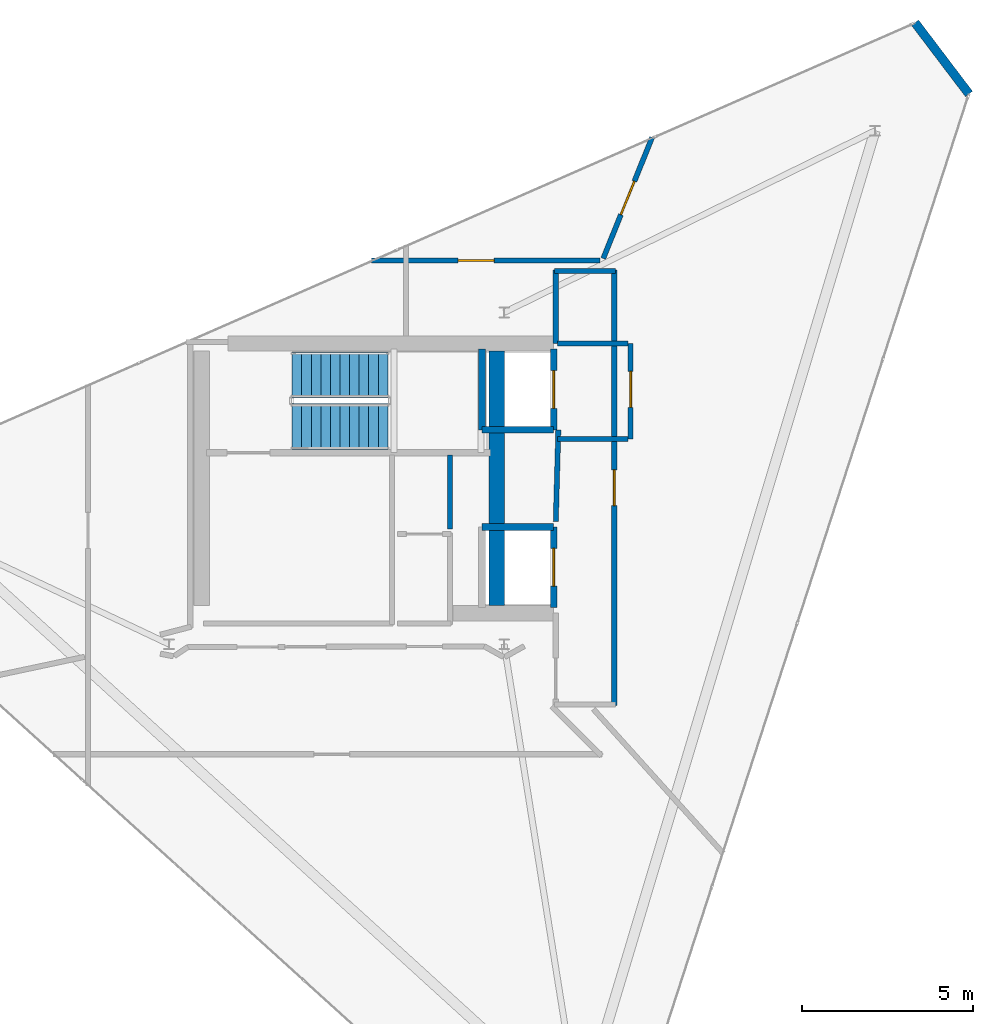
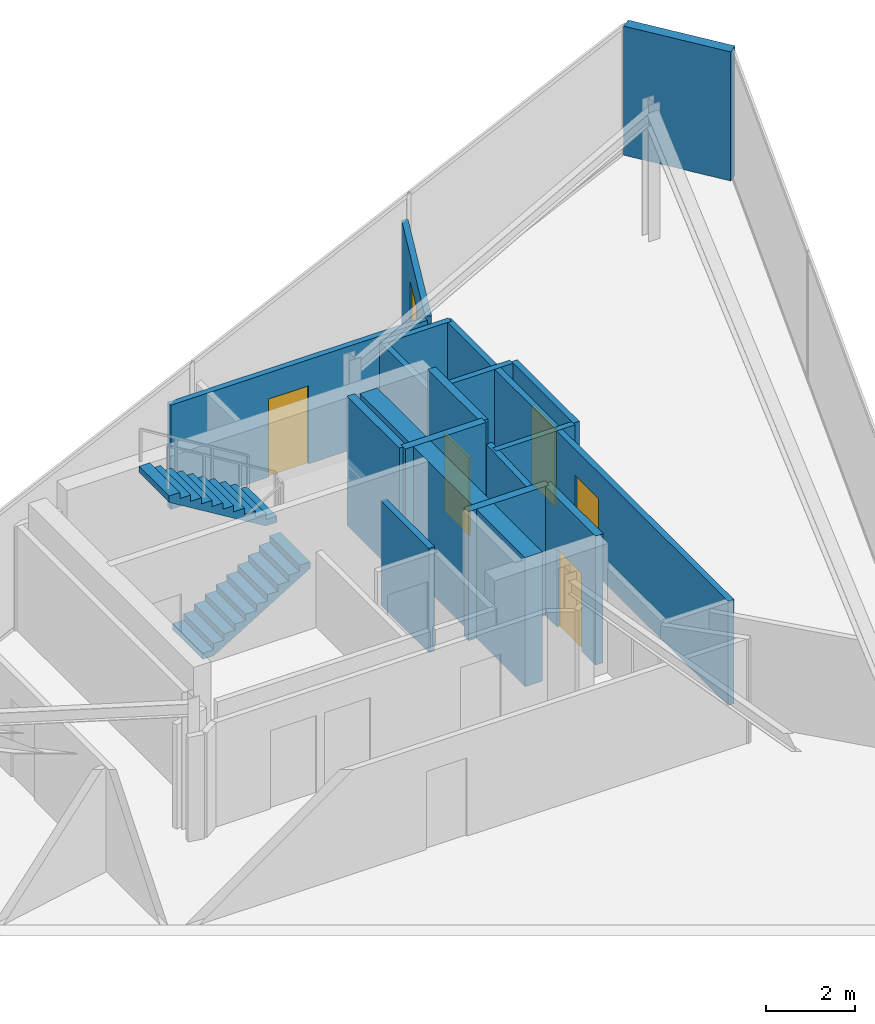
# One storey, part 15 of 16: 17 walls, 6 doors, 2 stair flights, 6 openings, 1 element without a shape of its own.
"""IFC4 building model written with IfcOpenShell, lengths in metres."""

from ifc_helpers import new_model, si_unit, direction, frame, frame_2d, origin, place, context, subcontext, project, spatial, polyline, rectangle, outline, extrude, material, layer, layer_set, type_object, element, fill, aggregate, save


model = new_model("IFC4")

# Units and contexts
model_context = context("Model", 3, precision=1e-05, world=origin(), true_north=direction((0.0, 1.0)))
body_context = subcontext(model_context, "Body", "Model", "MODEL_VIEW")
ifc_project = project(units=[si_unit("LENGTHUNIT", "METRE"), si_unit("AREAUNIT", "SQUARE_METRE"), si_unit("VOLUMEUNIT", "CUBIC_METRE"), si_unit("PLANEANGLEUNIT", "RADIAN"), si_unit("MASSUNIT", "GRAM", prefix="KILO")], contexts=[model_context])

# Site, building, storey
site_placement = place(None, origin())
site = spatial("IfcSite", under=ifc_project, at=site_placement, CompositionType="ELEMENT")
building_placement = place(site_placement, origin())
building = spatial("IfcBuilding", under=site, at=building_placement, Name="Qianvela Tower", CompositionType="ELEMENT")
storey_placement = place(building_placement, frame((0.0, 0.0, 367.550048828125)))
storey = spatial("IfcBuildingStorey", under=building, at=storey_placement, Name="L95", CompositionType="ELEMENT", Elevation=367.550048828125)

# Walls
ifc_material_1 = material(Name="Terracotta Cladding on Concrete C40", Category="masonry")
ifc_layer_1 = layer(ifc_material_1, 0.260009765625)
ifc_layer_set_1 = layer_set([ifc_layer_1], Name="Terracotta Cladding on Concrete C40")
wall_type_1 = type_object("IfcWallType", Name="TERRACOTTA-WALL-260", PredefinedType="SOLIDWALL", material=ifc_layer_set_1)
wall_1_placement = place(storey_placement, frame((51.995849609375, 39.9443359375, 0.0), z_axis=(0.0, 0.0, 1.0), x_axis=(-0.604042927758, 0.796951781117, 0.0)))
element("IfcWall", 1, at=wall_1_placement, inside=storey, type_object=wall_type_1, Name="L95 Crown Terracotta Cladding Wall 1", PredefinedType="SOLIDWALL", context=body_context, shape_type="SweptSolid", body=[
    extrude(rectangle(XDim=2.613525390625, YDim=0.260009765625, at=frame_2d((1.306640625, 0.0))), origin(), (0.0, 0.0, 1.0), 3.550048828125),
])
ifc_material_2 = material(Name="Concrete C50", Category="concrete")
ifc_layer_2 = layer(ifc_material_2, 0.449951171875)
ifc_layer_set_2 = layer_set([ifc_layer_2], Name="Concrete C50")
wall_type_2 = type_object("IfcWallType", Name="WT-CORE-450", PredefinedType="SHEAR", material=ifc_layer_set_2)
wall_2_placement = place(storey_placement, frame((38.179931640625, 24.97998046875, 0.0), z_axis=(0.0, 0.0, 1.0), x_axis=(0.0, 1.0, 0.0)))
element("IfcWall", 2, at=wall_2_placement, inside=storey, type_object=wall_type_2, Name="L95 East Spine Core Shear Wall", PredefinedType="SHEAR", context=body_context, shape_type="SweptSolid", body=[
    extrude(rectangle(XDim=7.43994140625, YDim=0.449951171875, at=frame_2d((3.719970703125, 0.0))), origin(), (0.0, 0.0, 1.0), 3.550048828125),
])

# Wall, opening, door
ifc_material_3 = material(Name="Fire-Rated Acoustic Gypsum Board")
ifc_layer_3 = layer(ifc_material_3, 0.14990234375)
ifc_layer_set_3 = layer_set([ifc_layer_3], Name="Fire-Rated Acoustic Gypsum Board")
wall_type_3 = type_object("IfcWallType", Name="WT-CORR-150", PredefinedType="PARTITIONING", material=ifc_layer_set_3)
wall_3_placement = place(storey_placement, frame((42.10009765625, 29.85009765625, 0.0), z_axis=(0.0, 0.0, 1.0), x_axis=(0.0, 1.0, 0.0)))
wall_3 = element("IfcWall", 3, at=wall_3_placement, inside=storey, type_object=wall_type_3, Name="L95 Crown Mechanical Plant Partition 1", PredefinedType="PARTITIONING", context=body_context, shape_type="SweptSolid", body=[
    extrude(rectangle(XDim=2.794921875, YDim=0.14990234375, at=frame_2d((1.3974609375, 0.0))), origin(), (0.0, 0.0, 1.0), 2.869873046875),
])
opening_1_placement = place(wall_3_placement, frame((0.925048828125, 0.0, 0.0)))
opening_1 = element("IfcOpeningElement", 4, at=opening_1_placement, cuts=wall_3, Name="Opening D-PL1", PredefinedType="OPENING", context=body_context, shape_type="SweptSolid", body=[
    extrude(rectangle(XDim=1.050048828125, YDim=2.14990234375, at=frame_2d((0.52490234375, 1.074951171875))), frame((0.0, 0.0849609375, 0.0), z_axis=(0.0, -1.0, 0.0), x_axis=(1.0, 0.0, 0.0)), (0.0, 0.0, 1.0), 0.169921875),
])
ifc_material_4 = material(Name="Insulated Steel Fire Door Q355B", Category="steel")
door_type_1 = type_object("IfcDoorType", Name="DT-PLANT-FD90", OperationType="NOTDEFINED", PredefinedType="DOOR", material=ifc_material_4)
door_1_placement = place(opening_1_placement, origin())
door_1 = element("IfcDoor", 5, at=door_1_placement, inside=storey, type_object=door_type_1, Name="L95 Crown Mechanical Plant Room Door", OperationType="SINGLE_SWING_RIGHT", OverallHeight=2.14990234375, OverallWidth=1.050048828125, PredefinedType="DOOR", context=body_context, shape_type="SweptSolid", body=[
    extrude(rectangle(XDim=1.050048828125, YDim=2.14990234375, at=frame_2d((0.52490234375, 1.074951171875))), frame((0.0, 0.02490234375, 0.0), z_axis=(0.0, -1.0, 0.0), x_axis=(1.0, 0.0, 0.0)), (0.0, 0.0, 1.0), 0.050048828125),
])
fill(opening_1, door_1)

# Walls
for number, where, z_axis, x_axis, name in (
    (6, (39.9599609375, 29.85009765625, 0.0), (0.0, 0.0, 1.0), (1.0, 0.0, 0.0), "L95 Crown Mechanical Plant Partition 2"),
    (7, (39.9599609375, 32.64501953125, 0.0), (0.0, 0.0, 1.0), (1.0, 0.0, 0.0), "L95 Crown Mechanical Plant Partition 3"),
):
    element("IfcWall", number, at=place(storey_placement, frame(where, z_axis=z_axis, x_axis=x_axis)), inside=storey, type_object=wall_type_3, Name=name, PredefinedType="PARTITIONING", context=body_context, shape_type="SweptSolid", body=[
        extrude(rectangle(XDim=2.06005859375, YDim=0.14990234375, at=frame_2d((1.030029296875, 0.0))), origin(), (0.0, 0.0, 1.0), 2.869873046875),
    ])
wall_4_placement = place(storey_placement, frame((39.910888671875, 27.439208984375, 0.0), z_axis=(0.0, 0.0, 1.0), x_axis=(0.027673579092, 0.999617013171, 0.0)))
element("IfcWall", 8, at=wall_4_placement, inside=storey, type_object=wall_type_3, Name="L95 Partition 7 seg 1", PredefinedType="PARTITIONING", context=body_context, shape_type="SweptSolid", body=[
    extrude(rectangle(XDim=2.681884765625, YDim=0.14990234375, at=frame_2d((1.3408203125, 0.0))), origin(), (0.0, 0.0, 1.0), 2.869873046875),
])
wall_5_placement = place(storey_placement, frame((39.910888671875, 32.639892578125, 0.0), z_axis=(0.0, 0.0, 1.0), x_axis=(0.0, 1.0, 0.0)))
element("IfcWall", 9, at=wall_5_placement, inside=storey, type_object=wall_type_3, Name="L95 Partition 8", PredefinedType="PARTITIONING", context=body_context, shape_type="SweptSolid", body=[
    extrude(rectangle(XDim=2.16015625, YDim=0.14990234375, at=frame_2d((1.080078125, 0.0))), origin(), (0.0, 0.0, 1.0), 2.869873046875),
])
wall_6_placement = place(storey_placement, frame((39.8798828125, 34.76904296875, 0.0), z_axis=(0.0, 0.0, 1.0), x_axis=(1.0, 0.0, 0.0)))
element("IfcWall", 10, at=wall_6_placement, inside=storey, type_object=wall_type_3, Name="L95 Partition 9", PredefinedType="PARTITIONING", context=body_context, shape_type="SweptSolid", body=[
    extrude(rectangle(XDim=1.77001953125, YDim=0.14990234375, at=frame_2d((0.885009765625, 0.0))), origin(), (0.0, 0.0, 1.0), 2.869873046875),
])

# Wall, opening, door
wall_7_placement = place(storey_placement, frame((41.618896484375, 34.800048828125, 0.0), z_axis=(0.0, 0.0, 1.0), x_axis=(0.0, -1.0, 0.0)))
wall_7 = element("IfcWall", 11, at=wall_7_placement, inside=storey, type_object=wall_type_3, Name="L95 Partition 10", PredefinedType="PARTITIONING", context=body_context, shape_type="SweptSolid", body=[
    extrude(rectangle(XDim=12.75, YDim=0.14990234375, at=frame_2d((6.375, 0.0))), origin(), (0.0, 0.0, 1.0), 2.869873046875),
])
opening_2_placement = place(wall_7_placement, frame((5.85009765625, 0.0, 0.0)))
opening_2 = element("IfcOpeningElement", 12, at=opening_2_placement, cuts=wall_7, Name="Opening D-PL1", PredefinedType="OPENING", context=body_context, shape_type="SweptSolid", body=[
    extrude(rectangle(XDim=1.050048828125, YDim=2.14990234375, at=frame_2d((0.52490234375, 1.074951171875))), frame((0.0, 0.0849609375, 0.0), z_axis=(0.0, -1.0, 0.0), x_axis=(1.0, 0.0, 0.0)), (0.0, 0.0, 1.0), 0.169921875),
])
door_2_placement = place(opening_2_placement, origin())
door_2 = element("IfcDoor", 13, at=door_2_placement, inside=storey, type_object=door_type_1, Name="L95 Door L95 Solar Inverter Switchgear Plant Room to L95 Lift Lobby", OperationType="SINGLE_SWING_LEFT", OverallHeight=2.14990234375, OverallWidth=1.050048828125, PredefinedType="DOOR", context=body_context, shape_type="SweptSolid", body=[
    extrude(rectangle(XDim=1.050048828125, YDim=2.14990234375, at=frame_2d((0.52490234375, 1.074951171875))), frame((0.0, 0.02490234375, 0.0), z_axis=(0.0, -1.0, 0.0), x_axis=(1.0, 0.0, 0.0)), (0.0, 0.0, 1.0), 0.050048828125),
])
fill(opening_2, door_2)

# Wall
wall_8_placement = place(storey_placement, frame((36.819091796875, 29.3798828125, 0.0), z_axis=(0.0, 0.0, 1.0), x_axis=(0.0, -1.0, 0.0)))
element("IfcWall", 14, at=wall_8_placement, inside=storey, type_object=wall_type_3, Name="L95 Partition 19", PredefinedType="PARTITIONING", context=body_context, shape_type="SweptSolid", body=[
    extrude(rectangle(XDim=2.159912109375, YDim=0.14990234375, at=frame_2d((1.080078125, 0.0))), origin(), (0.0, 0.0, 1.0), 2.869873046875),
])

# Wall, opening, door
wall_9_placement = place(storey_placement, frame((34.519775390625, 35.069091796875, 0.0), z_axis=(0.0, 0.0, 1.0), x_axis=(1.0, 0.0, 0.0)))
wall_9 = element("IfcWall", 15, at=wall_9_placement, inside=storey, type_object=wall_type_3, Name="L95 Partition 24", PredefinedType="PARTITIONING", context=body_context, shape_type="SweptSolid", body=[
    extrude(rectangle(XDim=6.68017578125, YDim=0.14990234375, at=frame_2d((3.340087890625, 0.0))), origin(), (0.0, 0.0, 1.0), 2.869873046875),
])
opening_3_placement = place(wall_9_placement, frame((2.53515625, 0.0, 0.0)))
opening_3 = element("IfcOpeningElement", 16, at=opening_3_placement, cuts=wall_9, Name="Opening D-PL1", PredefinedType="OPENING", context=body_context, shape_type="SweptSolid", body=[
    extrude(rectangle(XDim=1.050048828125, YDim=2.14990234375, at=frame_2d((0.52490234375, 1.074951171875))), frame((0.0, 0.0849609375, 0.0), z_axis=(0.0, -1.0, 0.0), x_axis=(1.0, 0.0, 0.0)), (0.0, 0.0, 1.0), 0.169921875),
])
door_3_placement = place(opening_3_placement, origin())
door_3 = element("IfcDoor", 17, at=door_3_placement, inside=storey, type_object=door_type_1, Name="L95 Door L95 Crown Pressure Booster Plant to L95 Atrium Smoke Exhaust Plant Room", OperationType="SINGLE_SWING_RIGHT", OverallHeight=2.14990234375, OverallWidth=1.050048828125, PredefinedType="DOOR", context=body_context, shape_type="SweptSolid", body=[
    extrude(rectangle(XDim=1.050048828125, YDim=2.14990234375, at=frame_2d((0.52490234375, 1.074951171875))), frame((0.0, 0.02490234375, 0.0), z_axis=(0.0, -1.0, 0.0), x_axis=(1.0, 0.0, 0.0)), (0.0, 0.0, 1.0), 0.050048828125),
])
fill(opening_3, door_3)

wall_10_placement = place(storey_placement, frame((41.29736328125, 35.12939453125, 0.0), z_axis=(0.0, 0.0, 1.0), x_axis=(0.374615121192, 0.927180409076, 0.0)))
wall_10 = element("IfcWall", 18, at=wall_10_placement, inside=storey, type_object=wall_type_3, Name="L95 Partition 48", PredefinedType="PARTITIONING", context=body_context, shape_type="SweptSolid", body=[
    extrude(rectangle(XDim=3.822265625, YDim=0.14990234375, at=frame_2d((1.9111328125, 0.0))), origin(), (0.0, 0.0, 1.0), 2.869873046875),
])
opening_4_placement = place(wall_10_placement, frame((1.38623046875, 0.0, 0.0)))
opening_4 = element("IfcOpeningElement", 19, at=opening_4_placement, cuts=wall_10, Name="Opening D-PL1", PredefinedType="OPENING", context=body_context, shape_type="SweptSolid", body=[
    extrude(rectangle(XDim=1.050048828125, YDim=2.14990234375, at=frame_2d((0.52490234375, 1.074951171875))), frame((0.0, 0.0849609375, 0.0), z_axis=(0.0, -1.0, 0.0), x_axis=(1.0, 0.0, 0.0)), (0.0, 0.0, 1.0), 0.169921875),
])
door_4_placement = place(opening_4_placement, origin())
door_4 = element("IfcDoor", 20, at=door_4_placement, inside=storey, type_object=door_type_1, Name="L95 Door L95 Atrium Smoke Exhaust Plant Room to L95 Solar Inverter Switchgear Plant Room", OperationType="SINGLE_SWING_RIGHT", OverallHeight=2.14990234375, OverallWidth=1.050048828125, PredefinedType="DOOR", context=body_context, shape_type="SweptSolid", body=[
    extrude(rectangle(XDim=1.050048828125, YDim=2.14990234375, at=frame_2d((0.52490234375, 1.074951171875))), frame((0.0, 0.02490234375, 0.0), z_axis=(0.0, -1.0, 0.0), x_axis=(1.0, 0.0, 0.0)), (0.0, 0.0, 1.0), 0.050048828125),
])
fill(opening_4, door_4)

ifc_material_5 = material(Name="Concrete C50", Category="concrete")
ifc_layer_4 = layer(ifc_material_5, 0.199951171875)
ifc_layer_set_4 = layer_set([ifc_layer_4], Name="Concrete C50")
wall_type_4 = type_object("IfcWallType", Name="WT-SHAFT-200", PredefinedType="SOLIDWALL", material=ifc_layer_set_4)
wall_11_placement = place(storey_placement, frame((39.85009765625, 30.1201171875, 0.0), z_axis=(0.0, 0.0, 1.0), x_axis=(0.0, 1.0, 0.0)))
wall_11 = element("IfcWall", 21, at=wall_11_placement, inside=storey, type_object=wall_type_4, Name="L95 Lift FL-1 E Shaft Wall", PredefinedType="SOLIDWALL", context=body_context, shape_type="SweptSolid", body=[
    extrude(rectangle(XDim=2.35986328125, YDim=0.199951171875, at=frame_2d((1.179931640625, 0.0))), origin(), (0.0, 0.0, 1.0), 3.550048828125),
])
opening_5_placement = place(wall_11_placement, frame((0.6298828125, 0.0, 0.0)))
opening_5 = element("IfcOpeningElement", 22, at=opening_5_placement, cuts=wall_11, Name="Opening LD-01", PredefinedType="OPENING", context=body_context, shape_type="SweptSolid", body=[
    extrude(rectangle(XDim=1.10009765625, YDim=2.14990234375, at=frame_2d((0.550048828125, 1.074951171875))), frame((0.0, 0.10986328125, 0.0), z_axis=(0.0, -1.0, 0.0), x_axis=(1.0, 0.0, 0.0)), (0.0, 0.0, 1.0), 0.219970703125),
])
ifc_material_6 = material(Name="Brushed Stainless Steel Lift Landing Door", Category="steel")
door_type_2 = type_object("IfcDoorType", Name="DT-LIFT-SLIDE-1100", OperationType="SLIDING_TO_LEFT", PredefinedType="DOOR", material=ifc_material_6)
door_5_placement = place(opening_5_placement, origin())
door_5 = element("IfcDoor", 23, at=door_5_placement, inside=storey, type_object=door_type_2, Name="L95 Lift FL-1 Sliding Landing Door", OperationType="SLIDING_TO_LEFT", OverallHeight=2.14990234375, OverallWidth=1.10009765625, PredefinedType="DOOR", context=body_context, shape_type="SweptSolid", body=[
    extrude(rectangle(XDim=1.10009765625, YDim=2.14990234375, at=frame_2d((0.550048828125, 1.074951171875))), frame((0.0, 0.02490234375, 0.0), z_axis=(0.0, -1.0, 0.0), x_axis=(1.0, 0.0, 0.0)), (0.0, 0.0, 1.0), 0.050048828125),
])
fill(opening_5, door_5)

# Walls
wall_12_placement = place(storey_placement, frame((37.75, 30.1201171875, 0.0), z_axis=(0.0, 0.0, 1.0), x_axis=(0.0, 1.0, 0.0)))
element("IfcWall", 24, at=wall_12_placement, inside=storey, type_object=wall_type_4, Name="L95 Lift FL-1 W Shaft Wall", PredefinedType="SOLIDWALL", context=body_context, shape_type="SweptSolid", body=[
    extrude(rectangle(XDim=2.35986328125, YDim=0.199951171875, at=frame_2d((1.179931640625, 0.0))), origin(), (0.0, 0.0, 1.0), 3.550048828125),
])
wall_13_placement = place(storey_placement, frame((37.75, 30.1201171875, 0.0), z_axis=(0.0, 0.0, 1.0), x_axis=(1.0, 0.0, 0.0)))
element("IfcWall", 25, at=wall_13_placement, inside=storey, type_object=wall_type_4, Name="L95 Lift FL-1 S Shaft Wall", PredefinedType="SOLIDWALL", context=body_context, shape_type="SweptSolid", body=[
    extrude(rectangle(XDim=2.10009765625, YDim=0.199951171875, at=frame_2d((1.050048828125, 0.0))), origin(), (0.0, 0.0, 1.0), 3.550048828125),
])

# Wall, opening, door
wall_14_placement = place(storey_placement, frame((39.85009765625, 24.919921875, 0.0), z_axis=(0.0, 0.0, 1.0), x_axis=(0.0, 1.0, 0.0)))
wall_14 = element("IfcWall", 26, at=wall_14_placement, inside=storey, type_object=wall_type_4, Name="L95 Lift FL-2 E Shaft Wall", PredefinedType="SOLIDWALL", context=body_context, shape_type="SweptSolid", body=[
    extrude(rectangle(XDim=2.360107421875, YDim=0.199951171875, at=frame_2d((1.18017578125, 0.0))), origin(), (0.0, 0.0, 1.0), 3.550048828125),
])
opening_6_placement = place(wall_14_placement, frame((0.6298828125, 0.0, 0.0)))
opening_6 = element("IfcOpeningElement", 27, at=opening_6_placement, cuts=wall_14, Name="Opening LD-01", PredefinedType="OPENING", context=body_context, shape_type="SweptSolid", body=[
    extrude(rectangle(XDim=1.10009765625, YDim=2.14990234375, at=frame_2d((0.550048828125, 1.074951171875))), frame((0.0, 0.10986328125, 0.0), z_axis=(0.0, -1.0, 0.0), x_axis=(1.0, 0.0, 0.0)), (0.0, 0.0, 1.0), 0.219970703125),
])
door_6_placement = place(opening_6_placement, origin())
door_6 = element("IfcDoor", 28, at=door_6_placement, inside=storey, type_object=door_type_2, Name="L95 Lift FL-2 Sliding Landing Door", OperationType="SLIDING_TO_LEFT", OverallHeight=2.14990234375, OverallWidth=1.10009765625, PredefinedType="DOOR", context=body_context, shape_type="SweptSolid", body=[
    extrude(rectangle(XDim=1.10009765625, YDim=2.14990234375, at=frame_2d((0.550048828125, 1.074951171875))), frame((0.0, 0.02490234375, 0.0), z_axis=(0.0, -1.0, 0.0), x_axis=(1.0, 0.0, 0.0)), (0.0, 0.0, 1.0), 0.050048828125),
])
fill(opening_6, door_6)

# Wall
wall_15_placement = place(storey_placement, frame((37.75, 27.280029296875, 0.0), z_axis=(0.0, 0.0, 1.0), x_axis=(1.0, 0.0, 0.0)))
element("IfcWall", 29, at=wall_15_placement, inside=storey, type_object=wall_type_4, Name="L95 Lift FL-2 N Shaft Wall", PredefinedType="SOLIDWALL", context=body_context, shape_type="SweptSolid", body=[
    extrude(rectangle(XDim=2.10009765625, YDim=0.199951171875, at=frame_2d((1.050048828125, 0.0))), origin(), (0.0, 0.0, 1.0), 3.550048828125),
])

# Stair, stair flights
ifc_material_7 = material(Name="Concrete C40", Category="concrete")
stair_type = type_object("IfcStairType", Name="ST-DOGLEG-1350-R170-N22", PredefinedType="HALF_TURN_STAIR", material=ifc_material_7)
stair_placement = place(storey_placement, origin())
stair = element("IfcStair", 30, at=stair_placement, inside=storey, type_object=stair_type, Name="L95 Smoke-Proof Core Stair ST-1", PredefinedType="HALF_TURN_STAIR")
ifc_material_8 = material(Name="Concrete C40", Category="concrete")
stair_flight_type = type_object("IfcStairFlightType", Name="STF-STRAIGHT-R170-P11", PredefinedType="STRAIGHT", material=ifc_material_8)
stair_flight_1_placement = place(storey_placement, frame((32.199951171875, 30.215087890625, 0.0), z_axis=(0.0, 0.0, 1.0), x_axis=(1.0, 0.0, 0.0)))
stair_flight_1 = element("IfcStairFlight", 31, at=stair_flight_1_placement, type_object=stair_flight_type, Name="ST-1 flight 1", NumberOfRisers=11, NumberOfTreads=10, PredefinedType="STRAIGHT", RiserHeight=0.170454545, TreadLength=0.28, context=body_context, shape_type="SweptSolid", body=[
    extrude(outline(polyline([(0.0, 0.0), (0.0, 0.17041015625), (0.280029296875, 0.17041015625), (0.280029296875, 0.3408203125), (0.56005859375, 0.3408203125), (0.56005859375, 0.511474609375), (0.840087890625, 0.511474609375), (0.840087890625, 0.681884765625), (1.1201171875, 0.681884765625), (1.1201171875, 0.852294921875), (1.39990234375, 0.852294921875), (1.39990234375, 1.022705078125), (1.679931640625, 1.022705078125), (1.679931640625, 1.193115234375), (1.9599609375, 1.193115234375), (1.9599609375, 1.363525390625), (2.239990234375, 1.363525390625), (2.239990234375, 1.5341796875), (2.52001953125, 1.5341796875), (2.52001953125, 1.70458984375), (2.800048828125, 1.70458984375), (2.800048828125, 1.875), (2.800048828125, 1.529052734375), (0.288330078125, 0.0), (0.0, 0.0)])), frame((0.0, 0.675048828125, 0.0), z_axis=(0.0, -1.0, 0.0), x_axis=(1.0, 0.0, 0.0)), (0.0, 0.0, 1.0), 1.35009765625),
])
stair_flight_2_placement = place(storey_placement, frame((35.0, 31.72509765625, 1.875), z_axis=(0.0, 0.0, 1.0), x_axis=(-1.0, 0.0, 0.0)))
stair_flight_2 = element("IfcStairFlight", 32, at=stair_flight_2_placement, type_object=stair_flight_type, Name="ST-1 flight 2", NumberOfRisers=11, NumberOfTreads=10, PredefinedType="STRAIGHT", RiserHeight=0.170454545, TreadLength=0.28, context=body_context, shape_type="SweptSolid", body=[
    extrude(outline(polyline([(0.0, 0.0), (0.0, 0.17041015625), (0.280029296875, 0.17041015625), (0.280029296875, 0.3408203125), (0.56005859375, 0.3408203125), (0.56005859375, 0.511474609375), (0.840087890625, 0.511474609375), (0.840087890625, 0.681884765625), (1.1201171875, 0.681884765625), (1.1201171875, 0.852294921875), (1.39990234375, 0.852294921875), (1.39990234375, 1.022705078125), (1.679931640625, 1.022705078125), (1.679931640625, 1.193115234375), (1.9599609375, 1.193115234375), (1.9599609375, 1.363525390625), (2.239990234375, 1.363525390625), (2.239990234375, 1.5341796875), (2.52001953125, 1.5341796875), (2.52001953125, 1.70458984375), (2.800048828125, 1.70458984375), (2.800048828125, 1.875), (2.800048828125, 1.529052734375), (0.288330078125, 0.0), (0.0, 0.0)])), frame((0.0, 0.675048828125, 0.0), z_axis=(0.0, -1.0, 0.0), x_axis=(1.0, 0.0, 0.0)), (0.0, 0.0, 1.0), 1.35009765625),
])
aggregate(stair, [stair_flight_1, stair_flight_2])

save(model, "model.ifc")
